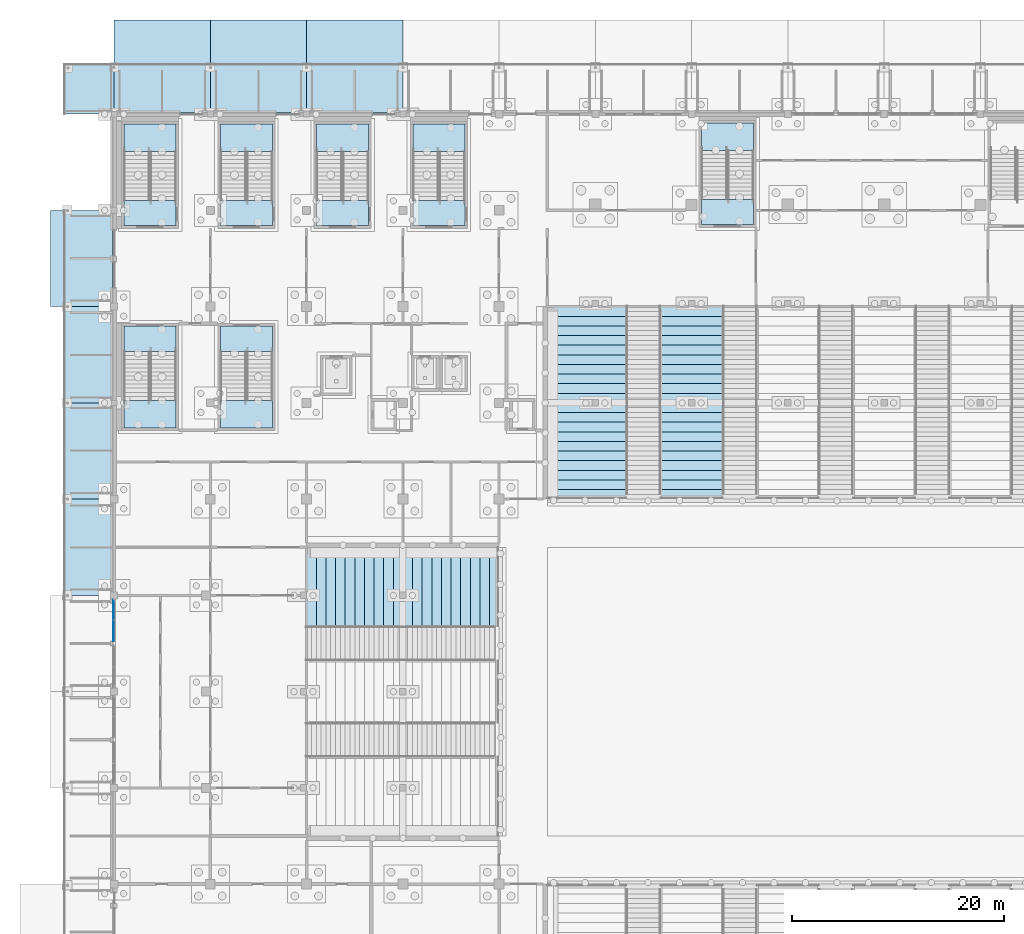
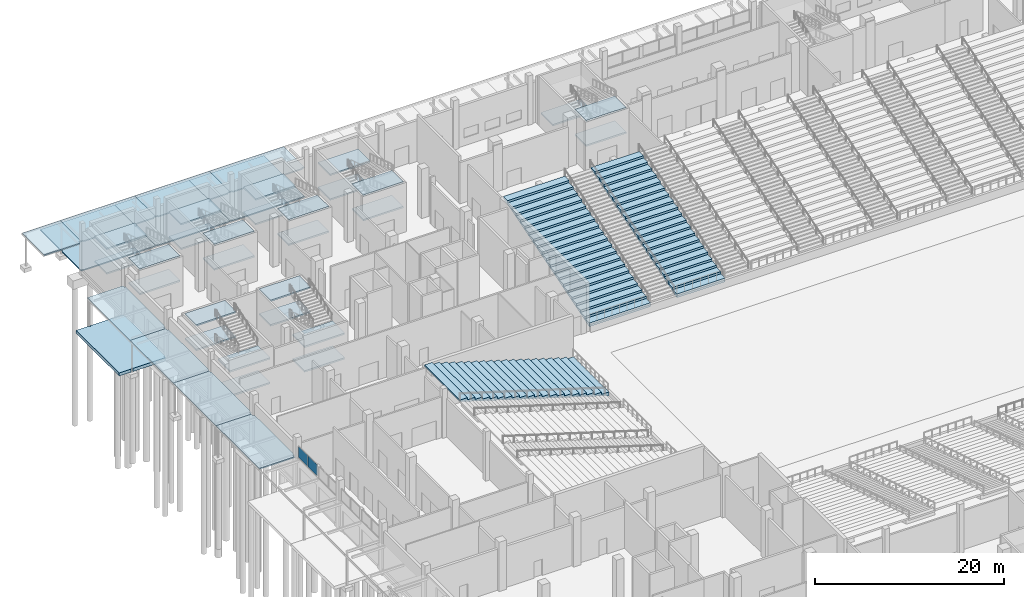
# One storey, part 63 of 129: 42 slabs, 2 plates, 8 elements without a shape of their own.
"""IFC4 building model written with IfcOpenShell, lengths in metres."""

from ifc_helpers import new_model, si_unit, direction, frame, origin, origin_2d, place, context, subcontext, project, spatial, polyline, rectangle, outline, extrude, material, layer, layer_set, type_object, element, aggregate, save


model = new_model("IFC4")

# Units and contexts
model_context = context("Model", 3, precision=1e-05, world=origin(), true_north=direction((0.0, 1.0)))
body_context = subcontext(model_context, "Body", "Model", "MODEL_VIEW")
ifc_project = project(units=[si_unit("LENGTHUNIT", "METRE"), si_unit("AREAUNIT", "SQUARE_METRE"), si_unit("VOLUMEUNIT", "CUBIC_METRE"), si_unit("PLANEANGLEUNIT", "RADIAN"), si_unit("MASSUNIT", "GRAM", prefix="KILO")], contexts=[model_context])

# Site, building, storey
site_placement = place(None, origin())
site = spatial("IfcSite", under=ifc_project, at=site_placement, CompositionType="ELEMENT")
building_placement = place(site_placement, origin())
building = spatial("IfcBuilding", under=site, at=building_placement, Name="Shirokan Park Arena", CompositionType="ELEMENT")
storey_placement = place(building_placement, origin())
storey = spatial("IfcBuildingStorey", under=building, at=storey_placement, Name="L00", CompositionType="ELEMENT", Elevation=0.0)

# Slabs
ifc_material_1 = material(Name="Zinc standing seam sheet")
ifc_layer_1 = layer(ifc_material_1, 0.0048828125, Name="Zinc standing seam sheet")
ifc_material_2 = material(Name="Mineral wool insulation")
ifc_layer_2 = layer(ifc_material_2, 0.050048828125, Name="Mineral wool insulation")
ifc_material_3 = material(Name="Cross-laminated timber deck", Category="wood")
ifc_layer_3 = layer(ifc_material_3, 0.094970703125, Name="Cross-laminated timber deck")
ifc_layer_set_1 = layer_set([ifc_layer_1, ifc_layer_2, ifc_layer_3], Name="Zinc standing seam sheet + Mineral wool insulation + Cross-laminated timber deck")
slab_type_1 = type_object("IfcSlabType", Name="Canopy deck 150", PredefinedType="ROOF", material=ifc_layer_set_1)
slab_1_placement = place(storey_placement, frame((0.0, 0.0, 3.60009765625)))
element("IfcSlab", 1, at=slab_1_placement, inside=storey, type_object=slab_type_1, Name="Canopy deck north bay 14", PredefinedType="ROOF", context=body_context, shape_type="SweptSolid", body=[
    extrude(outline(polyline([(18.47509765625, 109.35009765625), (18.47509765625, 109.47509765625), (18.199951171875, 109.47509765625), (18.199951171875, 113.85009765625), (27.300048828125, 113.85009765625), (27.300048828125, 109.47509765625), (27.02490234375, 109.47509765625), (27.02490234375, 109.35009765625), (18.47509765625, 109.35009765625)])), origin(), (0.0, 0.0, 1.0), 0.14990234375),
])
slab_2_placement = place(storey_placement, frame((0.0, 0.0, 3.60009765625)))
element("IfcSlab", 2, at=slab_2_placement, inside=storey, type_object=slab_type_1, Name="Canopy deck north bay 15", PredefinedType="ROOF", context=body_context, shape_type="SweptSolid", body=[
    extrude(outline(polyline([(9.375, 109.35009765625), (9.375, 109.47509765625), (9.10009765625, 109.47509765625), (9.10009765625, 113.85009765625), (18.199951171875, 113.85009765625), (18.199951171875, 109.47509765625), (17.925048828125, 109.47509765625), (17.925048828125, 109.35009765625), (9.375, 109.35009765625)])), origin(), (0.0, 0.0, 1.0), 0.14990234375),
])
slab_3_placement = place(storey_placement, frame((0.0, 0.0, 3.60009765625)))
element("IfcSlab", 3, at=slab_3_placement, inside=storey, type_object=slab_type_1, Name="Canopy deck north bay 16", PredefinedType="ROOF", context=body_context, shape_type="SweptSolid", body=[
    extrude(outline(polyline([(0.25, 109.35009765625), (0.25, 109.449951171875), (0.0, 109.449951171875), (0.0, 113.85009765625), (9.10009765625, 113.85009765625), (9.10009765625, 109.47509765625), (8.824951171875, 109.47509765625), (8.824951171875, 109.35009765625), (0.25, 109.35009765625)])), origin(), (0.0, 0.0, 1.0), 0.14990234375),
])
slab_4_placement = place(storey_placement, frame((0.0, 0.0, 3.60009765625)))
element("IfcSlab", 4, at=slab_4_placement, inside=storey, type_object=slab_type_1, Name="Canopy deck west bay 2", PredefinedType="ROOF", context=body_context, shape_type="SweptSolid", body=[
    extrude(outline(polyline([(-0.14990234375, 91.324951171875), (-0.324951171875, 91.324951171875), (-0.324951171875, 91.0), (-4.64990234375, 91.0), (-4.64990234375, 100.10009765625), (-0.27490234375, 100.10009765625), (-0.27490234375, 99.824951171875), (-0.14990234375, 99.824951171875), (-0.14990234375, 91.324951171875)])), origin(), (0.0, 0.0, 1.0), 0.14990234375),
])
slab_5_placement = place(storey_placement, frame((0.0, 0.0, 3.60009765625)))
element("IfcSlab", 5, at=slab_5_placement, inside=storey, type_object=slab_type_1, Name="Canopy deck west bay 3", PredefinedType="ROOF", context=body_context, shape_type="SweptSolid", body=[
    extrude(outline(polyline([(-0.14990234375, 82.14990234375), (-0.25, 82.14990234375), (-0.25, 81.89990234375), (-4.64990234375, 81.89990234375), (-4.64990234375, 91.0), (-0.324951171875, 91.0), (-0.324951171875, 90.675048828125), (-0.14990234375, 90.675048828125), (-0.14990234375, 82.14990234375)])), origin(), (0.0, 0.0, 1.0), 0.14990234375),
])
slab_6_placement = place(storey_placement, frame((0.0, 0.0, 3.60009765625)))
element("IfcSlab", 6, at=slab_6_placement, inside=storey, type_object=slab_type_1, Name="Canopy deck west bay 4", PredefinedType="ROOF", context=body_context, shape_type="SweptSolid", body=[
    extrude(outline(polyline([(-0.14990234375, 73.14990234375), (-0.35009765625, 73.14990234375), (-0.35009765625, 72.800048828125), (-4.64990234375, 72.800048828125), (-4.64990234375, 81.89990234375), (-0.25, 81.89990234375), (-0.25, 81.64990234375), (-0.14990234375, 81.64990234375), (-0.14990234375, 73.14990234375)])), origin(), (0.0, 0.0, 1.0), 0.14990234375),
])
slab_7_placement = place(storey_placement, frame((0.0, 0.0, 3.60009765625)))
element("IfcSlab", 7, at=slab_7_placement, inside=storey, type_object=slab_type_1, Name="Canopy deck west bay 5", PredefinedType="ROOF", context=body_context, shape_type="SweptSolid", body=[
    extrude(outline(polyline([(-0.14990234375, 64.02490234375), (-0.324951171875, 64.02490234375), (-0.324951171875, 63.699951171875), (-4.64990234375, 63.699951171875), (-4.64990234375, 72.800048828125), (-0.35009765625, 72.800048828125), (-0.35009765625, 72.449951171875), (-0.14990234375, 72.449951171875), (-0.14990234375, 64.02490234375)])), origin(), (0.0, 0.0, 1.0), 0.14990234375),
])
slab_8_placement = place(storey_placement, frame((0.0, 0.0, 3.60009765625)))
element("IfcSlab", 8, at=slab_8_placement, inside=storey, type_object=slab_type_1, Name="Canopy deck NW corner", PredefinedType="ROOF", context=body_context, shape_type="SweptSolid", body=[
    extrude(outline(polyline([(-4.64990234375, 109.199951171875), (-4.64990234375, 113.85009765625), (0.0, 113.85009765625), (0.0, 109.449951171875), (-0.25, 109.449951171875), (-0.25, 109.199951171875), (-4.64990234375, 109.199951171875)])), origin(), (0.0, 0.0, 1.0), 0.14990234375),
])

# Curtain wall, plates
ifc_material_4 = material(Name="Steel and glass curtain wall", Category="steel")
ifc_layer_4 = layer(ifc_material_4, 0.199951171875)
ifc_layer_set_2 = layer_set([ifc_layer_4], Name="Steel and glass curtain wall 200 mm")
curtain_wall_type = type_object("IfcCurtainWallType", Name="Curtain wall shopfront bay 200", PredefinedType="NOTDEFINED", material=ifc_layer_set_2)
curtain_wall_placement = place(storey_placement, origin())
curtain_wall = element("IfcCurtainWall", 9, at=curtain_wall_placement, inside=storey, type_object=curtain_wall_type, Name="Curtain wall west bay 6 L00 clerestory 1", PredefinedType="NOTDEFINED")
ifc_material_5 = material(Name="Toughened glass", Category="glass")
ifc_layer_5 = layer(ifc_material_5, 0.012939453125, Name="Toughened glass")
ifc_material_6 = material(Name="Interlayer film")
ifc_layer_6 = layer(ifc_material_6, 0.001953125, Name="Interlayer film")
ifc_layer_7 = layer(ifc_material_5, 0.012939453125, Name="Toughened glass")
ifc_layer_set_3 = layer_set([ifc_layer_5, ifc_layer_6, ifc_layer_7], Name="Toughened glass + Interlayer film")
plate_type = type_object("IfcPlateType", Name="Laminated glass panel 28", PredefinedType="CURTAIN_PANEL", material=ifc_layer_set_3)
plate_1_placement = place(storey_placement, frame((-0.050048828125, 62.3349609375, 3.7900390625), z_axis=(0.0, 0.0, 1.0), x_axis=(0.0, -1.0, 0.0)))
plate_1 = element("IfcPlate", 10, at=plate_1_placement, type_object=plate_type, Name="CW4 panel 1.1", PredefinedType="CURTAIN_PANEL", context=body_context, shape_type="SweptSolid", body=[
    extrude(rectangle(XDim=1.8798828125, YDim=0.028076171875, at=origin_2d()), origin(), (0.0, 0.0, 1.0), 1.43994140625),
])
plate_2_placement = place(storey_placement, frame((-0.050048828125, 60.35498046875, 3.7900390625), z_axis=(0.0, 0.0, 1.0), x_axis=(0.0, -1.0, 0.0)))
plate_2 = element("IfcPlate", 11, at=plate_2_placement, type_object=plate_type, Name="CW4 panel 2.1", PredefinedType="CURTAIN_PANEL", context=body_context, shape_type="SweptSolid", body=[
    extrude(rectangle(XDim=1.97998046875, YDim=0.028076171875, at=origin_2d()), origin(), (0.0, 0.0, 1.0), 1.43994140625),
])
aggregate(curtain_wall, [plate_1, plate_2])

# Slabs
ifc_material_7 = material(Name="Concrete paving C30", Category="concrete")
ifc_layer_8 = layer(ifc_material_7, 0.080078125, Name="Concrete paving C30")
ifc_material_8 = material(Name="Compacted aggregate sub-base")
ifc_layer_9 = layer(ifc_material_8, 0.320068359375, Name="Compacted aggregate sub-base")
ifc_layer_set_4 = layer_set([ifc_layer_8, ifc_layer_9], Name="Concrete paving C30 + Compacted aggregate sub-base")
slab_type_2 = type_object("IfcSlabType", Name="Paving slab 400", PredefinedType="FLOOR", material=ifc_layer_set_4)
slab_9_placement = place(storey_placement, frame((0.0, 0.0, -0.39990234375)))
element("IfcSlab", 12, at=slab_9_placement, inside=storey, type_object=slab_type_2, Name="Paving outside west bay 2", PredefinedType="FLOOR", context=body_context, shape_type="SweptSolid", body=[
    extrude(outline(polyline([(-0.324951171875, 91.324951171875), (-0.324951171875, 91.0), (-4.324951171875, 91.0), (-4.324951171875, 91.10009765625), (-4.52490234375, 91.10009765625), (-4.52490234375, 91.0), (-6.0, 91.0), (-6.0, 100.10009765625), (-4.52490234375, 100.10009765625), (-4.52490234375, 100.0), (-4.324951171875, 100.0), (-4.324951171875, 100.10009765625), (-0.27490234375, 100.10009765625), (-0.27490234375, 99.824951171875), (-0.199951171875, 99.824951171875), (-0.199951171875, 91.324951171875), (-0.324951171875, 91.324951171875)])), origin(), (0.0, 0.0, 1.0), 0.39990234375),
])
ifc_material_9 = material(Name="Concrete C35", Category="concrete")
ifc_layer_10 = layer(ifc_material_9, 0.199951171875)
ifc_layer_set_5 = layer_set([ifc_layer_10], Name="Concrete C35 200 mm")
slab_type_3 = type_object("IfcSlabType", Name="RC seating tier lower 200", PredefinedType="USERDEFINED", material=ifc_layer_set_5)
slab_10_placement = place(storey_placement, frame((44.699951171875, 72.800048828125, 1.050048828125), z_axis=(0.0, 0.0, 1.0), x_axis=(0.0, 1.0, 0.0)))
element("IfcSlab", 13, at=slab_10_placement, inside=storey, type_object=slab_type_3, Name="Stand lower N 1", ObjectType="SEATING TIER", PredefinedType="USERDEFINED", context=body_context, shape_type="SweptSolid", body=[
    extrude(outline(polyline([(0.0, 0.0), (0.909912109375, 0.0), (0.909912109375, 0.280029296875), (1.820068359375, 0.280029296875), (1.820068359375, 0.56005859375), (2.72998046875, 0.56005859375), (2.72998046875, 0.840087890625), (3.639892578125, 0.840087890625), (3.639892578125, 1.1201171875), (4.550048828125, 1.1201171875), (4.550048828125, 1.39990234375), (5.4599609375, 1.39990234375), (5.4599609375, 1.679931640625), (6.3701171875, 1.679931640625), (6.3701171875, 1.9599609375), (7.280029296875, 1.9599609375), (7.280029296875, 2.239990234375), (8.18994140625, 2.239990234375), (8.18994140625, 2.52001953125), (9.10009765625, 2.52001953125), (9.10009765625, 2.800048828125), (10.010009765625, 2.800048828125), (10.010009765625, 3.080078125), (10.919921875, 3.080078125), (10.919921875, 3.360107421875), (11.830078125, 3.360107421875), (11.830078125, 3.639892578125), (12.739990234375, 3.639892578125), (12.739990234375, 3.919921875), (13.64990234375, 3.919921875), (13.64990234375, 4.199951171875), (14.56005859375, 4.199951171875), (14.56005859375, 4.47998046875), (15.469970703125, 4.47998046875), (15.469970703125, 4.760009765625), (16.3798828125, 4.760009765625), (16.3798828125, 5.0400390625), (17.2900390625, 5.0400390625), (17.2900390625, 5.320068359375), (18.199951171875, 5.320068359375), (18.199951171875, 5.11083984375), (0.0, -0.4892578125), (0.0, 0.0)])), frame((0.0, 3.75, 0.0), z_axis=(0.0, -1.0, 0.0), x_axis=(1.0, 0.0, 0.0)), (0.0, 0.0, 1.0), 7.5),
])
slab_11_placement = place(storey_placement, frame((54.60009765625, 72.800048828125, 1.050048828125), z_axis=(0.0, 0.0, 1.0), x_axis=(0.0, 1.0, 0.0)))
element("IfcSlab", 14, at=slab_11_placement, inside=storey, type_object=slab_type_3, Name="Stand lower N 2", ObjectType="SEATING TIER", PredefinedType="USERDEFINED", context=body_context, shape_type="SweptSolid", body=[
    extrude(outline(polyline([(0.0, 0.0), (0.909912109375, 0.0), (0.909912109375, 0.280029296875), (1.820068359375, 0.280029296875), (1.820068359375, 0.56005859375), (2.72998046875, 0.56005859375), (2.72998046875, 0.840087890625), (3.639892578125, 0.840087890625), (3.639892578125, 1.1201171875), (4.550048828125, 1.1201171875), (4.550048828125, 1.39990234375), (5.4599609375, 1.39990234375), (5.4599609375, 1.679931640625), (6.3701171875, 1.679931640625), (6.3701171875, 1.9599609375), (7.280029296875, 1.9599609375), (7.280029296875, 2.239990234375), (8.18994140625, 2.239990234375), (8.18994140625, 2.52001953125), (9.10009765625, 2.52001953125), (9.10009765625, 2.800048828125), (10.010009765625, 2.800048828125), (10.010009765625, 3.080078125), (10.919921875, 3.080078125), (10.919921875, 3.360107421875), (11.830078125, 3.360107421875), (11.830078125, 3.639892578125), (12.739990234375, 3.639892578125), (12.739990234375, 3.919921875), (13.64990234375, 3.919921875), (13.64990234375, 4.199951171875), (14.56005859375, 4.199951171875), (14.56005859375, 4.47998046875), (15.469970703125, 4.47998046875), (15.469970703125, 4.760009765625), (16.3798828125, 4.760009765625), (16.3798828125, 5.0400390625), (17.2900390625, 5.0400390625), (17.2900390625, 5.320068359375), (18.199951171875, 5.320068359375), (18.199951171875, 5.11083984375), (0.0, -0.4892578125), (0.0, 0.0)])), frame((0.0, 2.949951171875, 0.0), z_axis=(0.0, -1.0, 0.0), x_axis=(1.0, 0.0, 0.0)), (0.0, 0.0, 1.0), 5.89990234375),
])
slab_12_placement = place(storey_placement, frame((36.39990234375, 64.5, 1.050048828125), z_axis=(0.0, 0.0, 1.0), x_axis=(-1.0, 0.0, 0.0)))
element("IfcSlab", 15, at=slab_12_placement, inside=storey, type_object=slab_type_3, Name="Stand lower W 3", ObjectType="SEATING TIER", PredefinedType="USERDEFINED", context=body_context, shape_type="SweptSolid", body=[
    extrude(outline(polyline([(0.0, 0.0), (0.909912109375, 0.0), (0.909912109375, 0.280029296875), (1.820068359375, 0.280029296875), (1.820068359375, 0.56005859375), (2.72998046875, 0.56005859375), (2.72998046875, 0.840087890625), (3.639892578125, 0.840087890625), (3.639892578125, 1.1201171875), (4.550048828125, 1.1201171875), (4.550048828125, 1.39990234375), (5.4599609375, 1.39990234375), (5.4599609375, 1.679931640625), (6.3701171875, 1.679931640625), (6.3701171875, 1.9599609375), (7.280029296875, 1.9599609375), (7.280029296875, 2.239990234375), (8.18994140625, 2.239990234375), (8.18994140625, 2.52001953125), (9.10009765625, 2.52001953125), (9.10009765625, 2.800048828125), (10.010009765625, 2.800048828125), (10.010009765625, 3.080078125), (10.919921875, 3.080078125), (10.919921875, 3.360107421875), (11.830078125, 3.360107421875), (11.830078125, 3.639892578125), (12.739990234375, 3.639892578125), (12.739990234375, 3.919921875), (13.64990234375, 3.919921875), (13.64990234375, 4.199951171875), (14.56005859375, 4.199951171875), (14.56005859375, 4.47998046875), (15.469970703125, 4.47998046875), (15.469970703125, 4.760009765625), (16.3798828125, 4.760009765625), (16.3798828125, 5.0400390625), (17.2900390625, 5.0400390625), (17.2900390625, 5.320068359375), (18.199951171875, 5.320068359375), (18.199951171875, 5.11083984375), (0.0, -0.4892578125), (0.0, 0.0)])), frame((0.0, 3.75, 0.0), z_axis=(0.0, -1.0, 0.0), x_axis=(1.0, 0.0, 0.0)), (0.0, 0.0, 1.0), 7.5),
])

# Stair, slabs
ifc_material_10 = material(Name="Concrete C30 precast", Category="concrete")
stair_type = type_object("IfcStairType", Name="Stair 52 risers 122 x 385 2400 wide", PredefinedType="DOUBLE_RETURN_STAIR", material=ifc_material_10)
stair_1_placement = place(storey_placement, origin())
stair_1 = element("IfcStair", 16, at=stair_1_placement, inside=storey, type_object=stair_type, Name="Exit Stair 4.A L00 to L01", PredefinedType="DOUBLE_RETURN_STAIR")
ifc_layer_11 = layer(ifc_material_10, 0.199951171875)
ifc_layer_set_6 = layer_set([ifc_layer_11], Name="Concrete C30 precast 200 mm")
slab_type_4 = type_object("IfcSlabType", Name="Stair landing 200", PredefinedType="LANDING", material=ifc_layer_set_6)
slab_13_placement = place(storey_placement, frame((0.0, 0.0, 1.392578125)))
slab_13 = element("IfcSlab", 17, at=slab_13_placement, type_object=slab_type_4, Name="ST10.1 landing 1", PredefinedType="LANDING", context=body_context, shape_type="SweptSolid", body=[
    extrude(outline(polyline([(0.949951171875, 105.669921875), (5.85009765625, 105.669921875), (5.85009765625, 108.25), (0.949951171875, 108.25), (0.949951171875, 105.669921875)])), origin(), (0.0, 0.0, 1.0), 0.199951171875),
])
slab_14_placement = place(storey_placement, frame((0.0, 0.0, 2.985107421875)))
slab_14 = element("IfcSlab", 18, at=slab_14_placement, type_object=slab_type_4, Name="ST10.1 landing 2", PredefinedType="LANDING", context=body_context, shape_type="SweptSolid", body=[
    extrude(outline(polyline([(0.949951171875, 98.64990234375), (5.85009765625, 98.64990234375), (5.85009765625, 101.050048828125), (0.949951171875, 101.050048828125), (0.949951171875, 98.64990234375)])), origin(), (0.0, 0.0, 1.0), 0.199951171875),
])
slab_15_placement = place(storey_placement, frame((0.0, 0.0, 4.577392578125)))
slab_15 = element("IfcSlab", 19, at=slab_15_placement, type_object=slab_type_4, Name="ST10.1 landing 3", PredefinedType="LANDING", context=body_context, shape_type="SweptSolid", body=[
    extrude(outline(polyline([(0.949951171875, 105.669921875), (5.85009765625, 105.669921875), (5.85009765625, 108.25), (0.949951171875, 108.25), (0.949951171875, 105.669921875)])), origin(), (0.0, 0.0, 1.0), 0.2001953125),
])
slab_16_placement = place(storey_placement, frame((0.0, 0.0, 6.169921875)))
slab_16 = element("IfcSlab", 20, at=slab_16_placement, type_object=slab_type_4, Name="ST10.1 landing 4", PredefinedType="LANDING", context=body_context, shape_type="SweptSolid", body=[
    extrude(outline(polyline([(0.949951171875, 98.64990234375), (5.85009765625, 98.64990234375), (5.85009765625, 101.050048828125), (0.949951171875, 101.050048828125), (0.949951171875, 98.64990234375)])), origin(), (0.0, 0.0, 1.0), 0.2001953125),
])
aggregate(stair_1, [slab_13, slab_14, slab_15, slab_16])

stair_2_placement = place(storey_placement, origin())
stair_2 = element("IfcStair", 21, at=stair_2_placement, inside=storey, type_object=stair_type, Name="Exit Stair 4.B L00 to L01", PredefinedType="DOUBLE_RETURN_STAIR")
slab_17_placement = place(storey_placement, frame((0.0, 0.0, 1.392578125)))
slab_17 = element("IfcSlab", 22, at=slab_17_placement, type_object=slab_type_4, Name="ST11.1 landing 1", PredefinedType="LANDING", context=body_context, shape_type="SweptSolid", body=[
    extrude(outline(polyline([(10.050048828125, 105.669921875), (14.949951171875, 105.669921875), (14.949951171875, 108.25), (10.050048828125, 108.25), (10.050048828125, 105.669921875)])), origin(), (0.0, 0.0, 1.0), 0.199951171875),
])
slab_18_placement = place(storey_placement, frame((0.0, 0.0, 2.985107421875)))
slab_18 = element("IfcSlab", 23, at=slab_18_placement, type_object=slab_type_4, Name="ST11.1 landing 2", PredefinedType="LANDING", context=body_context, shape_type="SweptSolid", body=[
    extrude(outline(polyline([(10.050048828125, 98.64990234375), (14.949951171875, 98.64990234375), (14.949951171875, 101.050048828125), (10.050048828125, 101.050048828125), (10.050048828125, 98.64990234375)])), origin(), (0.0, 0.0, 1.0), 0.199951171875),
])
slab_19_placement = place(storey_placement, frame((0.0, 0.0, 4.577392578125)))
slab_19 = element("IfcSlab", 24, at=slab_19_placement, type_object=slab_type_4, Name="ST11.1 landing 3", PredefinedType="LANDING", context=body_context, shape_type="SweptSolid", body=[
    extrude(outline(polyline([(10.050048828125, 105.669921875), (14.949951171875, 105.669921875), (14.949951171875, 108.25), (10.050048828125, 108.25), (10.050048828125, 105.669921875)])), origin(), (0.0, 0.0, 1.0), 0.2001953125),
])
slab_20_placement = place(storey_placement, frame((0.0, 0.0, 6.169921875)))
slab_20 = element("IfcSlab", 25, at=slab_20_placement, type_object=slab_type_4, Name="ST11.1 landing 4", PredefinedType="LANDING", context=body_context, shape_type="SweptSolid", body=[
    extrude(outline(polyline([(10.050048828125, 98.64990234375), (14.949951171875, 98.64990234375), (14.949951171875, 101.050048828125), (10.050048828125, 101.050048828125), (10.050048828125, 98.64990234375)])), origin(), (0.0, 0.0, 1.0), 0.2001953125),
])
aggregate(stair_2, [slab_17, slab_18, slab_19, slab_20])

stair_3_placement = place(storey_placement, origin())
stair_3 = element("IfcStair", 26, at=stair_3_placement, inside=storey, type_object=stair_type, Name="Exit Stair 4.C L00 to L01", PredefinedType="DOUBLE_RETURN_STAIR")
slab_21_placement = place(storey_placement, frame((0.0, 0.0, 1.392578125)))
slab_21 = element("IfcSlab", 27, at=slab_21_placement, type_object=slab_type_4, Name="ST12.1 landing 1", PredefinedType="LANDING", context=body_context, shape_type="SweptSolid", body=[
    extrude(outline(polyline([(19.14990234375, 105.669921875), (24.050048828125, 105.669921875), (24.050048828125, 108.25), (19.14990234375, 108.25), (19.14990234375, 105.669921875)])), origin(), (0.0, 0.0, 1.0), 0.199951171875),
])
slab_22_placement = place(storey_placement, frame((0.0, 0.0, 2.985107421875)))
slab_22 = element("IfcSlab", 28, at=slab_22_placement, type_object=slab_type_4, Name="ST12.1 landing 2", PredefinedType="LANDING", context=body_context, shape_type="SweptSolid", body=[
    extrude(outline(polyline([(19.14990234375, 98.64990234375), (24.050048828125, 98.64990234375), (24.050048828125, 101.050048828125), (19.14990234375, 101.050048828125), (19.14990234375, 98.64990234375)])), origin(), (0.0, 0.0, 1.0), 0.199951171875),
])
slab_23_placement = place(storey_placement, frame((0.0, 0.0, 4.577392578125)))
slab_23 = element("IfcSlab", 29, at=slab_23_placement, type_object=slab_type_4, Name="ST12.1 landing 3", PredefinedType="LANDING", context=body_context, shape_type="SweptSolid", body=[
    extrude(outline(polyline([(19.14990234375, 105.669921875), (24.050048828125, 105.669921875), (24.050048828125, 108.25), (19.14990234375, 108.25), (19.14990234375, 105.669921875)])), origin(), (0.0, 0.0, 1.0), 0.2001953125),
])
slab_24_placement = place(storey_placement, frame((0.0, 0.0, 6.169921875)))
slab_24 = element("IfcSlab", 30, at=slab_24_placement, type_object=slab_type_4, Name="ST12.1 landing 4", PredefinedType="LANDING", context=body_context, shape_type="SweptSolid", body=[
    extrude(outline(polyline([(19.14990234375, 98.64990234375), (24.050048828125, 98.64990234375), (24.050048828125, 101.050048828125), (19.14990234375, 101.050048828125), (19.14990234375, 98.64990234375)])), origin(), (0.0, 0.0, 1.0), 0.2001953125),
])
aggregate(stair_3, [slab_21, slab_22, slab_23, slab_24])

stair_4_placement = place(storey_placement, origin())
stair_4 = element("IfcStair", 31, at=stair_4_placement, inside=storey, type_object=stair_type, Name="Exit Stair 4.D L00 to L01", PredefinedType="DOUBLE_RETURN_STAIR")
slab_25_placement = place(storey_placement, frame((0.0, 0.0, 1.392578125)))
slab_25 = element("IfcSlab", 32, at=slab_25_placement, type_object=slab_type_4, Name="ST13.1 landing 1", PredefinedType="LANDING", context=body_context, shape_type="SweptSolid", body=[
    extrude(outline(polyline([(28.25, 105.669921875), (33.14990234375, 105.669921875), (33.14990234375, 108.25), (28.25, 108.25), (28.25, 105.669921875)])), origin(), (0.0, 0.0, 1.0), 0.199951171875),
])
slab_26_placement = place(storey_placement, frame((0.0, 0.0, 2.985107421875)))
slab_26 = element("IfcSlab", 33, at=slab_26_placement, type_object=slab_type_4, Name="ST13.1 landing 2", PredefinedType="LANDING", context=body_context, shape_type="SweptSolid", body=[
    extrude(outline(polyline([(28.25, 98.64990234375), (33.14990234375, 98.64990234375), (33.14990234375, 101.050048828125), (28.25, 101.050048828125), (28.25, 98.64990234375)])), origin(), (0.0, 0.0, 1.0), 0.199951171875),
])
slab_27_placement = place(storey_placement, frame((0.0, 0.0, 4.577392578125)))
slab_27 = element("IfcSlab", 34, at=slab_27_placement, type_object=slab_type_4, Name="ST13.1 landing 3", PredefinedType="LANDING", context=body_context, shape_type="SweptSolid", body=[
    extrude(outline(polyline([(28.25, 105.669921875), (33.14990234375, 105.669921875), (33.14990234375, 108.25), (28.25, 108.25), (28.25, 105.669921875)])), origin(), (0.0, 0.0, 1.0), 0.2001953125),
])
slab_28_placement = place(storey_placement, frame((0.0, 0.0, 6.169921875)))
slab_28 = element("IfcSlab", 35, at=slab_28_placement, type_object=slab_type_4, Name="ST13.1 landing 4", PredefinedType="LANDING", context=body_context, shape_type="SweptSolid", body=[
    extrude(outline(polyline([(28.25, 98.64990234375), (33.14990234375, 98.64990234375), (33.14990234375, 101.050048828125), (28.25, 101.050048828125), (28.25, 98.64990234375)])), origin(), (0.0, 0.0, 1.0), 0.2001953125),
])
aggregate(stair_4, [slab_25, slab_26, slab_27, slab_28])

stair_5_placement = place(storey_placement, origin())
stair_5 = element("IfcStair", 36, at=stair_5_placement, inside=storey, type_object=stair_type, Name="Exit Stair 4.E L00 to L01", PredefinedType="DOUBLE_RETURN_STAIR")
slab_29_placement = place(storey_placement, frame((0.0, 0.0, 1.392578125)))
slab_29 = element("IfcSlab", 37, at=slab_29_placement, type_object=slab_type_4, Name="ST14.1 landing 1", PredefinedType="LANDING", context=body_context, shape_type="SweptSolid", body=[
    extrude(outline(polyline([(0.949951171875, 79.550048828125), (5.85009765625, 79.550048828125), (5.85009765625, 82.1298828125), (0.949951171875, 82.1298828125), (0.949951171875, 79.550048828125)])), origin(), (0.0, 0.0, 1.0), 0.199951171875),
])
slab_30_placement = place(storey_placement, frame((0.0, 0.0, 2.985107421875)))
slab_30 = element("IfcSlab", 38, at=slab_30_placement, type_object=slab_type_4, Name="ST14.1 landing 2", PredefinedType="LANDING", context=body_context, shape_type="SweptSolid", body=[
    extrude(outline(polyline([(0.949951171875, 86.75), (5.85009765625, 86.75), (5.85009765625, 89.14990234375), (0.949951171875, 89.14990234375), (0.949951171875, 86.75)])), origin(), (0.0, 0.0, 1.0), 0.199951171875),
])
slab_31_placement = place(storey_placement, frame((0.0, 0.0, 4.577392578125)))
slab_31 = element("IfcSlab", 39, at=slab_31_placement, type_object=slab_type_4, Name="ST14.1 landing 3", PredefinedType="LANDING", context=body_context, shape_type="SweptSolid", body=[
    extrude(outline(polyline([(0.949951171875, 79.550048828125), (5.85009765625, 79.550048828125), (5.85009765625, 82.1298828125), (0.949951171875, 82.1298828125), (0.949951171875, 79.550048828125)])), origin(), (0.0, 0.0, 1.0), 0.2001953125),
])
slab_32_placement = place(storey_placement, frame((0.0, 0.0, 6.169921875)))
slab_32 = element("IfcSlab", 40, at=slab_32_placement, type_object=slab_type_4, Name="ST14.1 landing 4", PredefinedType="LANDING", context=body_context, shape_type="SweptSolid", body=[
    extrude(outline(polyline([(0.949951171875, 86.75), (5.85009765625, 86.75), (5.85009765625, 89.14990234375), (0.949951171875, 89.14990234375), (0.949951171875, 86.75)])), origin(), (0.0, 0.0, 1.0), 0.2001953125),
])
aggregate(stair_5, [slab_29, slab_30, slab_31, slab_32])

stair_6_placement = place(storey_placement, origin())
stair_6 = element("IfcStair", 41, at=stair_6_placement, inside=storey, type_object=stair_type, Name="Exit Stair 4.F L00 to L01", PredefinedType="DOUBLE_RETURN_STAIR")
slab_33_placement = place(storey_placement, frame((0.0, 0.0, 1.392578125)))
slab_33 = element("IfcSlab", 42, at=slab_33_placement, type_object=slab_type_4, Name="ST15.1 landing 1", PredefinedType="LANDING", context=body_context, shape_type="SweptSolid", body=[
    extrude(outline(polyline([(10.050048828125, 79.550048828125), (14.949951171875, 79.550048828125), (14.949951171875, 82.1298828125), (10.050048828125, 82.1298828125), (10.050048828125, 79.550048828125)])), origin(), (0.0, 0.0, 1.0), 0.199951171875),
])
slab_34_placement = place(storey_placement, frame((0.0, 0.0, 2.985107421875)))
slab_34 = element("IfcSlab", 43, at=slab_34_placement, type_object=slab_type_4, Name="ST15.1 landing 2", PredefinedType="LANDING", context=body_context, shape_type="SweptSolid", body=[
    extrude(outline(polyline([(10.050048828125, 86.75), (14.949951171875, 86.75), (14.949951171875, 89.14990234375), (10.050048828125, 89.14990234375), (10.050048828125, 86.75)])), origin(), (0.0, 0.0, 1.0), 0.199951171875),
])
slab_35_placement = place(storey_placement, frame((0.0, 0.0, 4.577392578125)))
slab_35 = element("IfcSlab", 44, at=slab_35_placement, type_object=slab_type_4, Name="ST15.1 landing 3", PredefinedType="LANDING", context=body_context, shape_type="SweptSolid", body=[
    extrude(outline(polyline([(10.050048828125, 79.550048828125), (14.949951171875, 79.550048828125), (14.949951171875, 82.1298828125), (10.050048828125, 82.1298828125), (10.050048828125, 79.550048828125)])), origin(), (0.0, 0.0, 1.0), 0.2001953125),
])
slab_36_placement = place(storey_placement, frame((0.0, 0.0, 6.169921875)))
slab_36 = element("IfcSlab", 45, at=slab_36_placement, type_object=slab_type_4, Name="ST15.1 landing 4", PredefinedType="LANDING", context=body_context, shape_type="SweptSolid", body=[
    extrude(outline(polyline([(10.050048828125, 86.75), (14.949951171875, 86.75), (14.949951171875, 89.14990234375), (10.050048828125, 89.14990234375), (10.050048828125, 86.75)])), origin(), (0.0, 0.0, 1.0), 0.2001953125),
])
aggregate(stair_6, [slab_33, slab_34, slab_35, slab_36])

stair_7_placement = place(storey_placement, origin())
stair_7 = element("IfcStair", 46, at=stair_7_placement, inside=storey, type_object=stair_type, Name="Entrance Stair E4.1 L00 to L01", PredefinedType="DOUBLE_RETURN_STAIR")
slab_37_placement = place(storey_placement, frame((0.0, 0.0, 1.392578125)))
slab_37 = element("IfcSlab", 47, at=slab_37_placement, type_object=slab_type_4, Name="ST22.1 landing 1", PredefinedType="LANDING", context=body_context, shape_type="SweptSolid", body=[
    extrude(outline(polyline([(55.550048828125, 105.77001953125), (60.449951171875, 105.77001953125), (60.449951171875, 108.35009765625), (55.550048828125, 108.35009765625), (55.550048828125, 105.77001953125)])), origin(), (0.0, 0.0, 1.0), 0.199951171875),
])
slab_38_placement = place(storey_placement, frame((0.0, 0.0, 2.985107421875)))
slab_38 = element("IfcSlab", 48, at=slab_38_placement, type_object=slab_type_4, Name="ST22.1 landing 2", PredefinedType="LANDING", context=body_context, shape_type="SweptSolid", body=[
    extrude(outline(polyline([(55.550048828125, 98.75), (60.449951171875, 98.75), (60.449951171875, 101.14990234375), (55.550048828125, 101.14990234375), (55.550048828125, 98.75)])), origin(), (0.0, 0.0, 1.0), 0.199951171875),
])
slab_39_placement = place(storey_placement, frame((0.0, 0.0, 6.169921875)))
slab_39 = element("IfcSlab", 49, at=slab_39_placement, type_object=slab_type_4, Name="ST22.1 landing 4", PredefinedType="LANDING", context=body_context, shape_type="SweptSolid", body=[
    extrude(outline(polyline([(55.550048828125, 98.75), (60.449951171875, 98.75), (60.449951171875, 101.14990234375), (55.550048828125, 101.14990234375), (55.550048828125, 98.75)])), origin(), (0.0, 0.0, 1.0), 0.2001953125),
])
aggregate(stair_7, [slab_37, slab_38, slab_39])

# Slabs
ifc_material_11 = material(Name="Hardwood decking", Category="wood")
ifc_layer_12 = layer(ifc_material_11, 0.030029296875, Name="Hardwood decking")
ifc_material_12 = material(Name="Timber joists and battens", Category="wood")
ifc_layer_13 = layer(ifc_material_12, 0.10009765625, Name="Timber joists and battens")
ifc_material_13 = material(Name="Waterproofing membrane")
ifc_layer_14 = layer(ifc_material_13, 0.02001953125, Name="Waterproofing membrane")
ifc_layer_set_7 = layer_set([ifc_layer_12, ifc_layer_13, ifc_layer_14], Name="Hardwood decking + Timber joists and battens + Waterproofing membrane")
slab_type_5 = type_object("IfcSlabType", Name="Timber engawa deck 150", PredefinedType="FLOOR", material=ifc_layer_set_7)
slab_40_placement = place(storey_placement, frame((0.0, 0.0, -0.14990234375)))
element("IfcSlab", 50, at=slab_40_placement, inside=storey, type_object=slab_type_5, Name="Engawa deck bay 14", PredefinedType="FLOOR", context=body_context, shape_type="SweptSolid", body=[
    extrude(outline(polyline([(18.47509765625, 109.47509765625), (18.199951171875, 109.47509765625), (18.199951171875, 113.52490234375), (18.300048828125, 113.52490234375), (18.300048828125, 113.72509765625), (18.199951171875, 113.72509765625), (18.199951171875, 118.10009765625), (27.300048828125, 118.10009765625), (27.300048828125, 113.72509765625), (27.199951171875, 113.72509765625), (27.199951171875, 113.52490234375), (27.300048828125, 113.52490234375), (27.300048828125, 109.47509765625), (27.02490234375, 109.47509765625), (27.02490234375, 109.39990234375), (18.47509765625, 109.39990234375), (18.47509765625, 109.47509765625)])), origin(), (0.0, 0.0, 1.0), 0.14990234375),
])
slab_41_placement = place(storey_placement, frame((0.0, 0.0, -0.14990234375)))
element("IfcSlab", 51, at=slab_41_placement, inside=storey, type_object=slab_type_5, Name="Engawa deck bay 15", PredefinedType="FLOOR", context=body_context, shape_type="SweptSolid", body=[
    extrude(outline(polyline([(9.375, 109.47509765625), (9.10009765625, 109.47509765625), (9.10009765625, 113.52490234375), (9.199951171875, 113.52490234375), (9.199951171875, 113.72509765625), (9.10009765625, 113.72509765625), (9.10009765625, 118.10009765625), (18.199951171875, 118.10009765625), (18.199951171875, 113.72509765625), (18.10009765625, 113.72509765625), (18.10009765625, 113.52490234375), (18.199951171875, 113.52490234375), (18.199951171875, 109.47509765625), (17.925048828125, 109.47509765625), (17.925048828125, 109.39990234375), (9.375, 109.39990234375), (9.375, 109.47509765625)])), origin(), (0.0, 0.0, 1.0), 0.14990234375),
])
slab_42_placement = place(storey_placement, frame((0.0, 0.0, -0.14990234375)))
element("IfcSlab", 52, at=slab_42_placement, inside=storey, type_object=slab_type_5, Name="Engawa deck bay 16", PredefinedType="FLOOR", context=body_context, shape_type="SweptSolid", body=[
    extrude(outline(polyline([(0.25, 109.449951171875), (0.0, 109.449951171875), (0.0, 113.52490234375), (0.10009765625, 113.52490234375), (0.10009765625, 113.72509765625), (0.0, 113.72509765625), (0.0, 118.10009765625), (9.10009765625, 118.10009765625), (9.10009765625, 113.72509765625), (9.0, 113.72509765625), (9.0, 113.52490234375), (9.10009765625, 113.52490234375), (9.10009765625, 109.47509765625), (8.824951171875, 109.47509765625), (8.824951171875, 109.39990234375), (0.25, 109.39990234375), (0.25, 109.449951171875)])), origin(), (0.0, 0.0, 1.0), 0.14990234375),
])

save(model, "model.ifc")
